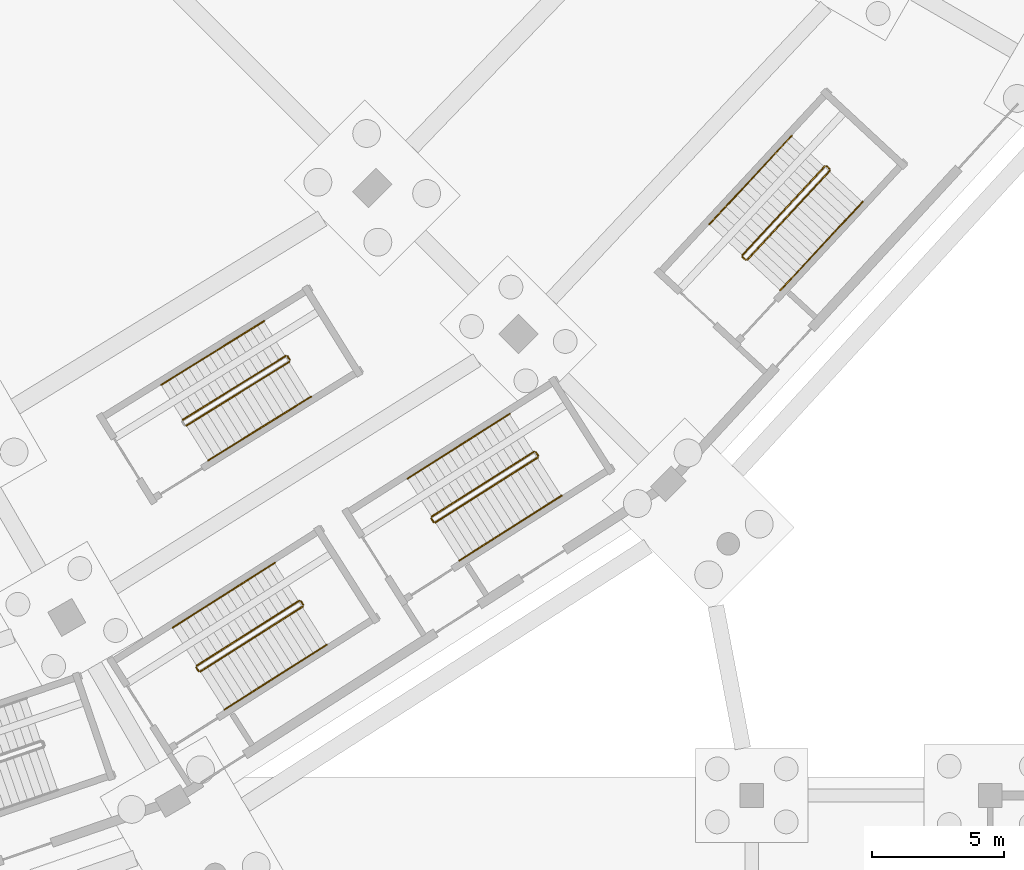
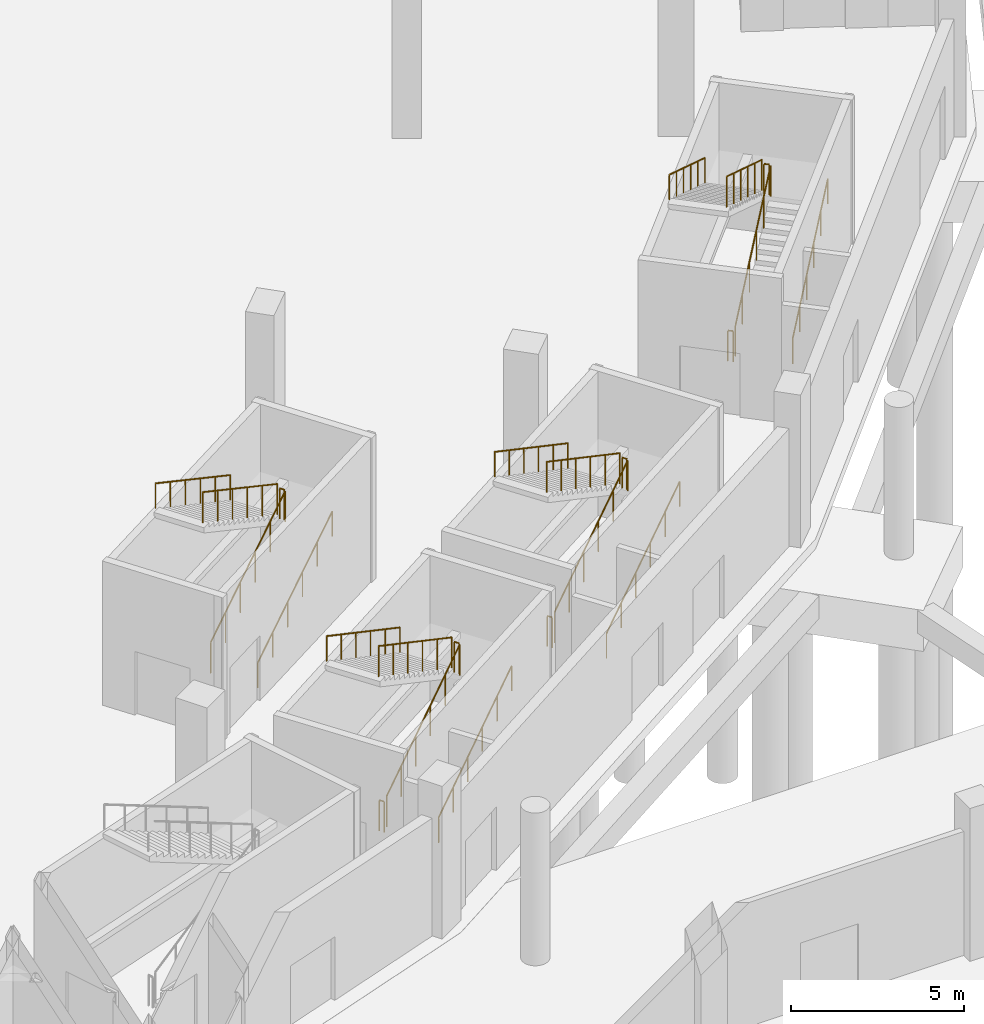
# One storey, part 74 of 103: 23 railings.
"""IFC4 building model written with IfcOpenShell, lengths in metres."""

from ifc_helpers import new_model, si_unit, direction, frame, origin, origin_2d, place, context, subcontext, project, spatial, circle, extrude, material, type_object, element, save


model = new_model("IFC4")

# Units and contexts
model_context = context("Model", 3, precision=1e-05, world=origin(), true_north=direction((0.0, 1.0)))
body_context = subcontext(model_context, "Body", "Model", "MODEL_VIEW")
ifc_project = project(units=[si_unit("LENGTHUNIT", "METRE"), si_unit("AREAUNIT", "SQUARE_METRE"), si_unit("VOLUMEUNIT", "CUBIC_METRE"), si_unit("PLANEANGLEUNIT", "RADIAN"), si_unit("MASSUNIT", "GRAM", prefix="KILO")], contexts=[model_context])

# Site, building, storey
site_placement = place(None, origin())
site = spatial("IfcSite", under=ifc_project, at=site_placement, CompositionType="ELEMENT")
building_placement = place(site_placement, origin())
building = spatial("IfcBuilding", under=site, at=building_placement, Name="Zevraka Park Crest Stadium", CompositionType="ELEMENT")
storey_placement = place(building_placement, origin())
storey = spatial("IfcBuildingStorey", under=building, at=storey_placement, Name="L00", CompositionType="ELEMENT", Elevation=0.0)

# Railings
ifc_material_1 = material(Name="Powder-coated tubular steel stairwell guard", Category="steel")
railing_type_1 = type_object("IfcRailingType", Name="GR03", PredefinedType="GUARDRAIL", material=ifc_material_1)
railing_1_placement = place(storey_placement, frame((158.194580078125, 31.675048828125, 0.168701171875)))
element("IfcRailing", 1, at=railing_1_placement, inside=storey, type_object=railing_type_1, Name="L00 ST21 stair guard 1", PredefinedType="GUARDRAIL", context=body_context, shape_type="SweptSolid", body=[
    extrude(circle(Radius=0.02392578125, at=origin_2d()), frame((0.0, 0.0, 1.076171875), z_axis=(0.738840749407, 0.46876207314, 0.484124432146), x_axis=(-0.535728596419, 0.844390236193, 0.0)), (0.0, 0.0, 1.0), 5.228515625),
    extrude(circle(Radius=0.02099609375, at=origin_2d()), origin(), (0.0, 0.0, 1.0), 1.052001953125),
    extrude(circle(Radius=0.02099609375, at=origin_2d()), frame((0.772705078125, 0.490234375, 0.50634765625)), (0.0, 0.0, 1.0), 1.052001953125),
    extrude(circle(Radius=0.02099609375, at=origin_2d()), frame((1.545166015625, 0.98046875, 1.012451171875)), (0.0, 0.0, 1.0), 1.052001953125),
    extrude(circle(Radius=0.02099609375, at=origin_2d()), frame((2.31787109375, 1.470458984375, 1.518798828125)), (0.0, 0.0, 1.0), 1.052001953125),
    extrude(circle(Radius=0.02099609375, at=origin_2d()), frame((3.09033203125, 1.960693359375, 2.02490234375)), (0.0, 0.0, 1.0), 1.052001953125),
    extrude(circle(Radius=0.02099609375, at=origin_2d()), frame((3.863037109375, 2.450927734375, 2.53125)), (0.0, 0.0, 1.0), 1.052001953125),
])
railing_2_placement = place(storey_placement, frame((162.072998046875, 34.19482421875, 2.699951171875)))
element("IfcRailing", 2, at=railing_2_placement, inside=storey, type_object=railing_type_1, Name="L00 ST21 stair guard 2", PredefinedType="GUARDRAIL", context=body_context, shape_type="SweptSolid", body=[
    extrude(circle(Radius=0.02392578125, at=origin_2d()), frame((0.0, 0.0, 1.076171875), z_axis=(-0.535197175111, 0.844727165275, 0.0), x_axis=(-0.844727165275, -0.535197175111, 0.0)), (0.0, 0.0, 1.0), 0.16015625),
    extrude(circle(Radius=0.02099609375, at=origin_2d()), origin(), (0.0, 0.0, 1.0), 1.052001953125),
    extrude(circle(Radius=0.02099609375, at=origin_2d()), frame((-0.085693359375, 0.13525390625, 0.0)), (0.0, 0.0, 1.0), 1.052001953125),
])
railing_3_placement = place(storey_placement, frame((161.918212890625, 34.345458984375, 2.86865234375)))
element("IfcRailing", 3, at=railing_3_placement, inside=storey, type_object=railing_type_1, Name="L00 ST21 stair guard 3", PredefinedType="GUARDRAIL", context=body_context, shape_type="SweptSolid", body=[
    extrude(circle(Radius=0.02392578125, at=origin_2d()), frame((0.0, 0.0, 1.076171875), z_axis=(-0.738840749407, -0.46876207314, 0.484124432146), x_axis=(0.535728596419, -0.844390236193, 0.0)), (0.0, 0.0, 1.0), 5.228515625),
    extrude(circle(Radius=0.02099609375, at=origin_2d()), origin(), (0.0, 0.0, 1.0), 1.052001953125),
    extrude(circle(Radius=0.02099609375, at=origin_2d()), frame((-0.772705078125, -0.490234375, 0.50634765625)), (0.0, 0.0, 1.0), 1.052001953125),
    extrude(circle(Radius=0.02099609375, at=origin_2d()), frame((-1.545166015625, -0.98046875, 1.012451171875)), (0.0, 0.0, 1.0), 1.052001953125),
    extrude(circle(Radius=0.02099609375, at=origin_2d()), frame((-2.31787109375, -1.470458984375, 1.518798828125)), (0.0, 0.0, 1.0), 1.052001953125),
    extrude(circle(Radius=0.02099609375, at=origin_2d()), frame((-3.09033203125, -1.960693359375, 2.02490234375)), (0.0, 0.0, 1.0), 1.052001953125),
    extrude(circle(Radius=0.02099609375, at=origin_2d()), frame((-3.863037109375, -2.450927734375, 2.53125)), (0.0, 0.0, 1.0), 1.052001953125),
])
railing_4_placement = place(storey_placement, frame((158.12548828125, 31.6904296875, 0.0)))
element("IfcRailing", 4, at=railing_4_placement, inside=storey, type_object=railing_type_1, Name="L00 ST21 stair guard 4", PredefinedType="GUARDRAIL", context=body_context, shape_type="SweptSolid", body=[
    extrude(circle(Radius=0.02392578125, at=origin_2d()), frame((0.0, 0.0, 1.076171875), z_axis=(-0.535887230789, 0.844289568736, 0.0), x_axis=(-0.844289568736, -0.535887230789, 0.0)), (0.0, 0.0, 1.0), 0.159912109375),
    extrude(circle(Radius=0.02099609375, at=origin_2d()), origin(), (0.0, 0.0, 1.0), 1.052001953125),
    extrude(circle(Radius=0.02099609375, at=origin_2d()), frame((-0.085693359375, 0.135009765625, 0.0)), (0.0, 0.0, 1.0), 1.052001953125),
])
railing_5_placement = place(storey_placement, frame((178.8349609375, 47.212890625, 0.168701171875)))
element("IfcRailing", 5, at=railing_5_placement, inside=storey, type_object=railing_type_1, Name="L00 ST22 stair guard 1", PredefinedType="GUARDRAIL", context=body_context, shape_type="SweptSolid", body=[
    extrude(circle(Radius=0.02392578125, at=origin_2d()), frame((0.0, 0.0, 1.076171875), z_axis=(0.595217883246, 0.641352288883, 0.484131090727), x_axis=(-0.732977832241, 0.68025252476, 0.0)), (0.0, 0.0, 1.0), 5.228515625),
    extrude(circle(Radius=0.02099609375, at=origin_2d()), origin(), (0.0, 0.0, 1.0), 1.052001953125),
    extrude(circle(Radius=0.02099609375, at=origin_2d()), frame((0.622314453125, 0.670654296875, 0.50634765625)), (0.0, 0.0, 1.0), 1.052001953125),
    extrude(circle(Radius=0.02099609375, at=origin_2d()), frame((1.244873046875, 1.34130859375, 1.012451171875)), (0.0, 0.0, 1.0), 1.052001953125),
    extrude(circle(Radius=0.02099609375, at=origin_2d()), frame((1.8671875, 2.011962890625, 1.518798828125)), (0.0, 0.0, 1.0), 1.052001953125),
    extrude(circle(Radius=0.02099609375, at=origin_2d()), frame((2.48974609375, 2.6826171875, 2.02490234375)), (0.0, 0.0, 1.0), 1.052001953125),
    extrude(circle(Radius=0.02099609375, at=origin_2d()), frame((3.112060546875, 3.353271484375, 2.53125)), (0.0, 0.0, 1.0), 1.052001953125),
])
railing_6_placement = place(storey_placement, frame((181.944580078125, 50.636962890625, 2.699951171875)))
element("IfcRailing", 6, at=railing_6_placement, inside=storey, type_object=railing_type_1, Name="L00 ST22 stair guard 2", PredefinedType="GUARDRAIL", context=body_context, shape_type="SweptSolid", body=[
    extrude(circle(Radius=0.02392578125, at=origin_2d()), frame((0.0, 0.0, 1.076171875), z_axis=(-0.733281976316, 0.679924659952, 0.0), x_axis=(-0.679924659952, -0.733281976316, 0.0)), (0.0, 0.0, 1.0), 0.16015625),
    extrude(circle(Radius=0.02099609375, at=origin_2d()), origin(), (0.0, 0.0, 1.0), 1.052001953125),
    extrude(circle(Radius=0.02099609375, at=origin_2d()), frame((-0.117431640625, 0.10888671875, 0.0)), (0.0, 0.0, 1.0), 1.052001953125),
])
railing_7_placement = place(storey_placement, frame((181.756591796875, 50.7431640625, 2.86865234375)))
element("IfcRailing", 7, at=railing_7_placement, inside=storey, type_object=railing_type_1, Name="L00 ST22 stair guard 3", PredefinedType="GUARDRAIL", context=body_context, shape_type="SweptSolid", body=[
    extrude(circle(Radius=0.02392578125, at=origin_2d()), frame((0.0, 0.0, 1.076171875), z_axis=(-0.595230208302, -0.641361950207, 0.484103137722), x_axis=(0.732975918341, -0.680254586998, 0.0)), (0.0, 0.0, 1.0), 5.228759765625),
    extrude(circle(Radius=0.02099609375, at=origin_2d()), origin(), (0.0, 0.0, 1.0), 1.052001953125),
    extrude(circle(Radius=0.02099609375, at=origin_2d()), frame((-0.62255859375, -0.670654296875, 0.50634765625)), (0.0, 0.0, 1.0), 1.052001953125),
    extrude(circle(Radius=0.02099609375, at=origin_2d()), frame((-1.244873046875, -1.34130859375, 1.012451171875)), (0.0, 0.0, 1.0), 1.052001953125),
    extrude(circle(Radius=0.02099609375, at=origin_2d()), frame((-1.867431640625, -2.01220703125, 1.518798828125)), (0.0, 0.0, 1.0), 1.052001953125),
    extrude(circle(Radius=0.02099609375, at=origin_2d()), frame((-2.48974609375, -2.682861328125, 2.02490234375)), (0.0, 0.0, 1.0), 1.052001953125),
    extrude(circle(Radius=0.02099609375, at=origin_2d()), frame((-3.1123046875, -3.353515625, 2.53125)), (0.0, 0.0, 1.0), 1.052001953125),
])
railing_8_placement = place(storey_placement, frame((178.76416015625, 47.210205078125, 0.0)))
element("IfcRailing", 8, at=railing_8_placement, inside=storey, type_object=railing_type_1, Name="L00 ST22 stair guard 4", PredefinedType="GUARDRAIL", context=body_context, shape_type="SweptSolid", body=[
    extrude(circle(Radius=0.02392578125, at=origin_2d()), frame((0.0, 0.0, 1.076171875), z_axis=(-0.732576022975, 0.680685221348, 0.0), x_axis=(-0.680685221348, -0.732576022975, 0.0)), (0.0, 0.0, 1.0), 0.159912109375),
    extrude(circle(Radius=0.02099609375, at=origin_2d()), origin(), (0.0, 0.0, 1.0), 1.052001953125),
    extrude(circle(Radius=0.02099609375, at=origin_2d()), frame((-0.1171875, 0.10888671875, 0.0)), (0.0, 0.0, 1.0), 1.052001953125),
])
railing_9_placement = place(storey_placement, frame((167.060546875, 37.300048828125, 0.168701171875)))
element("IfcRailing", 9, at=railing_9_placement, inside=storey, type_object=railing_type_1, Name="L00 ST32 stair guard 1", PredefinedType="GUARDRAIL", context=body_context, shape_type="SweptSolid", body=[
    extrude(circle(Radius=0.02392578125, at=origin_2d()), frame((0.0, 0.0, 1.076171875), z_axis=(0.738840749407, 0.46876207314, 0.484124432146), x_axis=(-0.535728596419, 0.844390236193, 0.0)), (0.0, 0.0, 1.0), 5.228515625),
    extrude(circle(Radius=0.02099609375, at=origin_2d()), origin(), (0.0, 0.0, 1.0), 1.052001953125),
    extrude(circle(Radius=0.02099609375, at=origin_2d()), frame((0.772705078125, 0.490234375, 0.50634765625)), (0.0, 0.0, 1.0), 1.052001953125),
    extrude(circle(Radius=0.02099609375, at=origin_2d()), frame((1.545166015625, 0.98046875, 1.012451171875)), (0.0, 0.0, 1.0), 1.052001953125),
    extrude(circle(Radius=0.02099609375, at=origin_2d()), frame((2.31787109375, 1.470458984375, 1.518798828125)), (0.0, 0.0, 1.0), 1.052001953125),
    extrude(circle(Radius=0.02099609375, at=origin_2d()), frame((3.09033203125, 1.960693359375, 2.02490234375)), (0.0, 0.0, 1.0), 1.052001953125),
    extrude(circle(Radius=0.02099609375, at=origin_2d()), frame((3.863037109375, 2.450927734375, 2.53125)), (0.0, 0.0, 1.0), 1.052001953125),
])
railing_10_placement = place(storey_placement, frame((170.93896484375, 39.81982421875, 2.699951171875)))
element("IfcRailing", 10, at=railing_10_placement, inside=storey, type_object=railing_type_1, Name="L00 ST32 stair guard 2", PredefinedType="GUARDRAIL", context=body_context, shape_type="SweptSolid", body=[
    extrude(circle(Radius=0.02392578125, at=origin_2d()), frame((0.0, 0.0, 1.076171875), z_axis=(-0.535197175111, 0.844727165275, 0.0), x_axis=(-0.844727165275, -0.535197175111, 0.0)), (0.0, 0.0, 1.0), 0.16015625),
    extrude(circle(Radius=0.02099609375, at=origin_2d()), origin(), (0.0, 0.0, 1.0), 1.052001953125),
    extrude(circle(Radius=0.02099609375, at=origin_2d()), frame((-0.085693359375, 0.13525390625, 0.0)), (0.0, 0.0, 1.0), 1.052001953125),
])
railing_11_placement = place(storey_placement, frame((170.784423828125, 39.970458984375, 2.86865234375)))
element("IfcRailing", 11, at=railing_11_placement, inside=storey, type_object=railing_type_1, Name="L00 ST32 stair guard 3", PredefinedType="GUARDRAIL", context=body_context, shape_type="SweptSolid", body=[
    extrude(circle(Radius=0.02392578125, at=origin_2d()), frame((0.0, 0.0, 1.076171875), z_axis=(-0.738861952771, -0.468745901407, 0.48410773043), x_axis=(0.535704457002, -0.844405551111, 0.0)), (0.0, 0.0, 1.0), 5.228759765625),
    extrude(circle(Radius=0.02099609375, at=origin_2d()), origin(), (0.0, 0.0, 1.0), 1.052001953125),
    extrude(circle(Radius=0.02099609375, at=origin_2d()), frame((-0.772705078125, -0.490234375, 0.50634765625)), (0.0, 0.0, 1.0), 1.052001953125),
    extrude(circle(Radius=0.02099609375, at=origin_2d()), frame((-1.54541015625, -0.98046875, 1.012451171875)), (0.0, 0.0, 1.0), 1.052001953125),
    extrude(circle(Radius=0.02099609375, at=origin_2d()), frame((-2.31787109375, -1.470458984375, 1.518798828125)), (0.0, 0.0, 1.0), 1.052001953125),
    extrude(circle(Radius=0.02099609375, at=origin_2d()), frame((-3.090576171875, -1.960693359375, 2.02490234375)), (0.0, 0.0, 1.0), 1.052001953125),
    extrude(circle(Radius=0.02099609375, at=origin_2d()), frame((-3.86328125, -2.450927734375, 2.53125)), (0.0, 0.0, 1.0), 1.052001953125),
])
railing_12_placement = place(storey_placement, frame((166.991455078125, 37.3154296875, 0.0)))
element("IfcRailing", 12, at=railing_12_placement, inside=storey, type_object=railing_type_1, Name="L00 ST32 stair guard 4", PredefinedType="GUARDRAIL", context=body_context, shape_type="SweptSolid", body=[
    extrude(circle(Radius=0.02392578125, at=origin_2d()), frame((0.0, 0.0, 1.076171875), z_axis=(-0.535887230789, 0.844289568736, 0.0), x_axis=(-0.844289568736, -0.535887230789, 0.0)), (0.0, 0.0, 1.0), 0.159912109375),
    extrude(circle(Radius=0.02099609375, at=origin_2d()), origin(), (0.0, 0.0, 1.0), 1.052001953125),
    extrude(circle(Radius=0.02099609375, at=origin_2d()), frame((-0.085693359375, 0.135009765625, 0.0)), (0.0, 0.0, 1.0), 1.052001953125),
])
railing_13_placement = place(storey_placement, frame((157.666015625, 40.952392578125, 0.168701171875)))
element("IfcRailing", 13, at=railing_13_placement, inside=storey, type_object=railing_type_1, Name="L00 ST43 stair guard 1", PredefinedType="GUARDRAIL", context=body_context, shape_type="SweptSolid", body=[
    extrude(circle(Radius=0.02392578125, at=origin_2d()), frame((0.0, 0.0, 1.076171875), z_axis=(0.743488080984, 0.461370704528, 0.484110056122), x_axis=(-0.527276516885, 0.849693753503, 0.0)), (0.0, 0.0, 1.0), 5.228759765625),
    extrude(circle(Radius=0.02099609375, at=origin_2d()), origin(), (0.0, 0.0, 1.0), 1.052001953125),
    extrude(circle(Radius=0.02099609375, at=origin_2d()), frame((0.777587890625, 0.482421875, 0.50634765625)), (0.0, 0.0, 1.0), 1.052001953125),
    extrude(circle(Radius=0.02099609375, at=origin_2d()), frame((1.554931640625, 0.96484375, 1.012451171875)), (0.0, 0.0, 1.0), 1.052001953125),
    extrude(circle(Radius=0.02099609375, at=origin_2d()), frame((2.33251953125, 1.447509765625, 1.518798828125)), (0.0, 0.0, 1.0), 1.052001953125),
    extrude(circle(Radius=0.02099609375, at=origin_2d()), frame((3.10986328125, 1.929931640625, 2.02490234375)), (0.0, 0.0, 1.0), 1.052001953125),
    extrude(circle(Radius=0.02099609375, at=origin_2d()), frame((3.887451171875, 2.412353515625, 2.53125)), (0.0, 0.0, 1.0), 1.052001953125),
])
railing_14_placement = place(storey_placement, frame((161.569580078125, 43.43359375, 2.699951171875)))
element("IfcRailing", 14, at=railing_14_placement, inside=storey, type_object=railing_type_1, Name="L00 ST43 stair guard 2", PredefinedType="GUARDRAIL", context=body_context, shape_type="SweptSolid", body=[
    extrude(circle(Radius=0.02392578125, at=origin_2d()), frame((0.0, 0.0, 1.076171875), z_axis=(-0.528350811616, 0.849026159706, 0.0), x_axis=(-0.849026159706, -0.528350811616, 0.0)), (0.0, 0.0, 1.0), 0.159912109375),
    extrude(circle(Radius=0.02099609375, at=origin_2d()), origin(), (0.0, 0.0, 1.0), 1.052001953125),
    extrude(circle(Radius=0.02099609375, at=origin_2d()), frame((-0.08447265625, 0.1357421875, 0.0)), (0.0, 0.0, 1.0), 1.052001953125),
])
railing_15_placement = place(storey_placement, frame((161.416259765625, 43.58544921875, 2.86865234375)))
element("IfcRailing", 15, at=railing_15_placement, inside=storey, type_object=railing_type_1, Name="L00 ST43 stair guard 3", PredefinedType="GUARDRAIL", context=body_context, shape_type="SweptSolid", body=[
    extrude(circle(Radius=0.02392578125, at=origin_2d()), frame((0.0, 0.0, 1.076171875), z_axis=(-0.743483214798, -0.461349966223, 0.48413729249), x_axis=(0.527261896715, -0.849702825859, 0.0)), (0.0, 0.0, 1.0), 5.228271484375),
    extrude(circle(Radius=0.02099609375, at=origin_2d()), origin(), (0.0, 0.0, 1.0), 1.052001953125),
    extrude(circle(Radius=0.02099609375, at=origin_2d()), frame((-0.77734375, -0.482421875, 0.50634765625)), (0.0, 0.0, 1.0), 1.052001953125),
    extrude(circle(Radius=0.02099609375, at=origin_2d()), frame((-1.554931640625, -0.96484375, 1.012451171875)), (0.0, 0.0, 1.0), 1.052001953125),
    extrude(circle(Radius=0.02099609375, at=origin_2d()), frame((-2.332275390625, -1.447265625, 1.518798828125)), (0.0, 0.0, 1.0), 1.052001953125),
    extrude(circle(Radius=0.02099609375, at=origin_2d()), frame((-3.10986328125, -1.9296875, 2.02490234375)), (0.0, 0.0, 1.0), 1.052001953125),
    extrude(circle(Radius=0.02099609375, at=origin_2d()), frame((-3.88720703125, -2.412109375, 2.53125)), (0.0, 0.0, 1.0), 1.052001953125),
])
ifc_material_2 = material(Name="Brushed stainless steel continuous handrail", Category="steel")
railing_type_2 = type_object("IfcRailingType", Name="HR01", PredefinedType="HANDRAIL", material=ifc_material_2)
railing_16_placement = place(storey_placement, frame((159.105224609375, 30.239501953125, 0.168701171875)))
element("IfcRailing", 16, at=railing_16_placement, inside=storey, type_object=railing_type_2, Name="L00 ST21 stair handrail 1", PredefinedType="HANDRAIL", context=body_context, shape_type="SweptSolid", body=[
    extrude(circle(Radius=0.02392578125, at=origin_2d()), frame((0.0, 0.0, 0.8759765625), z_axis=(0.738840749407, 0.46876207314, 0.484124432146), x_axis=(-0.535728596419, 0.844390236193, 0.0)), (0.0, 0.0, 1.0), 5.228515625),
    extrude(circle(Radius=0.02099609375, at=origin_2d()), origin(), (0.0, 0.0, 1.0), 0.851806640625),
    extrude(circle(Radius=0.02099609375, at=origin_2d()), frame((0.772705078125, 0.490234375, 0.50634765625)), (0.0, 0.0, 1.0), 0.851806640625),
    extrude(circle(Radius=0.02099609375, at=origin_2d()), frame((1.545166015625, 0.98046875, 1.012451171875)), (0.0, 0.0, 1.0), 0.851806640625),
    extrude(circle(Radius=0.02099609375, at=origin_2d()), frame((2.31787109375, 1.470458984375, 1.518798828125)), (0.0, 0.0, 1.0), 0.851806640625),
    extrude(circle(Radius=0.02099609375, at=origin_2d()), frame((3.09033203125, 1.960693359375, 2.02490234375)), (0.0, 0.0, 1.0), 0.851806640625),
    extrude(circle(Radius=0.02099609375, at=origin_2d()), frame((3.863037109375, 2.450927734375, 2.53125)), (0.0, 0.0, 1.0), 0.851806640625),
])
railing_17_placement = place(storey_placement, frame((161.007568359375, 35.781005859375, 2.86865234375)))
element("IfcRailing", 17, at=railing_17_placement, inside=storey, type_object=railing_type_2, Name="L00 ST21 stair handrail 2", PredefinedType="HANDRAIL", context=body_context, shape_type="SweptSolid", body=[
    extrude(circle(Radius=0.02392578125, at=origin_2d()), frame((0.0, 0.0, 0.8759765625), z_axis=(-0.738840749407, -0.46876207314, 0.484124432146), x_axis=(0.535728596419, -0.844390236193, 0.0)), (0.0, 0.0, 1.0), 5.228515625),
    extrude(circle(Radius=0.02099609375, at=origin_2d()), origin(), (0.0, 0.0, 1.0), 0.851806640625),
    extrude(circle(Radius=0.02099609375, at=origin_2d()), frame((-0.772705078125, -0.490234375, 0.50634765625)), (0.0, 0.0, 1.0), 0.851806640625),
    extrude(circle(Radius=0.02099609375, at=origin_2d()), frame((-1.545166015625, -0.98046875, 1.012451171875)), (0.0, 0.0, 1.0), 0.851806640625),
    extrude(circle(Radius=0.02099609375, at=origin_2d()), frame((-2.31787109375, -1.470458984375, 1.518798828125)), (0.0, 0.0, 1.0), 0.851806640625),
    extrude(circle(Radius=0.02099609375, at=origin_2d()), frame((-3.09033203125, -1.960693359375, 2.02490234375)), (0.0, 0.0, 1.0), 0.851806640625),
    extrude(circle(Radius=0.02099609375, at=origin_2d()), frame((-3.863037109375, -2.450927734375, 2.53125)), (0.0, 0.0, 1.0), 0.851806640625),
])
railing_18_placement = place(storey_placement, frame((180.0810546875, 46.056396484375, 0.168701171875)))
element("IfcRailing", 18, at=railing_18_placement, inside=storey, type_object=railing_type_2, Name="L00 ST22 stair handrail 1", PredefinedType="HANDRAIL", context=body_context, shape_type="SweptSolid", body=[
    extrude(circle(Radius=0.02392578125, at=origin_2d()), frame((0.0, 0.0, 0.8759765625), z_axis=(0.595200057944, 0.641379775313, 0.484116592199), x_axis=(-0.733002525421, 0.680225916682, 0.0)), (0.0, 0.0, 1.0), 5.228515625),
    extrude(circle(Radius=0.02099609375, at=origin_2d()), origin(), (0.0, 0.0, 1.0), 0.851806640625),
    extrude(circle(Radius=0.02099609375, at=origin_2d()), frame((0.622314453125, 0.670654296875, 0.50634765625)), (0.0, 0.0, 1.0), 0.851806640625),
    extrude(circle(Radius=0.02099609375, at=origin_2d()), frame((1.244873046875, 1.34130859375, 1.012451171875)), (0.0, 0.0, 1.0), 0.851806640625),
    extrude(circle(Radius=0.02099609375, at=origin_2d()), frame((1.8671875, 2.01220703125, 1.518798828125)), (0.0, 0.0, 1.0), 0.851806640625),
    extrude(circle(Radius=0.02099609375, at=origin_2d()), frame((2.48974609375, 2.682861328125, 2.02490234375)), (0.0, 0.0, 1.0), 0.851806640625),
    extrude(circle(Radius=0.02099609375, at=origin_2d()), frame((3.112060546875, 3.353515625, 2.53125)), (0.0, 0.0, 1.0), 0.851806640625),
])
railing_19_placement = place(storey_placement, frame((180.510498046875, 51.899658203125, 2.86865234375)))
element("IfcRailing", 19, at=railing_19_placement, inside=storey, type_object=railing_type_2, Name="L00 ST22 stair handrail 2", PredefinedType="HANDRAIL", context=body_context, shape_type="SweptSolid", body=[
    extrude(circle(Radius=0.02392578125, at=origin_2d()), frame((0.0, 0.0, 0.8759765625), z_axis=(-0.595230208302, -0.641361950207, 0.484103137722), x_axis=(0.732975918341, -0.680254586998, 0.0)), (0.0, 0.0, 1.0), 5.228759765625),
    extrude(circle(Radius=0.02099609375, at=origin_2d()), origin(), (0.0, 0.0, 1.0), 0.851806640625),
    extrude(circle(Radius=0.02099609375, at=origin_2d()), frame((-0.62255859375, -0.670654296875, 0.50634765625)), (0.0, 0.0, 1.0), 0.851806640625),
    extrude(circle(Radius=0.02099609375, at=origin_2d()), frame((-1.244873046875, -1.34130859375, 1.012451171875)), (0.0, 0.0, 1.0), 0.851806640625),
    extrude(circle(Radius=0.02099609375, at=origin_2d()), frame((-1.867431640625, -2.01220703125, 1.518798828125)), (0.0, 0.0, 1.0), 0.851806640625),
    extrude(circle(Radius=0.02099609375, at=origin_2d()), frame((-2.48974609375, -2.682861328125, 2.02490234375)), (0.0, 0.0, 1.0), 0.851806640625),
    extrude(circle(Radius=0.02099609375, at=origin_2d()), frame((-3.1123046875, -3.353515625, 2.53125)), (0.0, 0.0, 1.0), 0.851806640625),
])
railing_20_placement = place(storey_placement, frame((167.97119140625, 35.864501953125, 0.168701171875)))
element("IfcRailing", 20, at=railing_20_placement, inside=storey, type_object=railing_type_2, Name="L00 ST32 stair handrail 1", PredefinedType="HANDRAIL", context=body_context, shape_type="SweptSolid", body=[
    extrude(circle(Radius=0.02392578125, at=origin_2d()), frame((0.0, 0.0, 0.8759765625), z_axis=(0.738840749407, 0.46876207314, 0.484124432146), x_axis=(-0.535728596419, 0.844390236193, 0.0)), (0.0, 0.0, 1.0), 5.228515625),
    extrude(circle(Radius=0.02099609375, at=origin_2d()), origin(), (0.0, 0.0, 1.0), 0.851806640625),
    extrude(circle(Radius=0.02099609375, at=origin_2d()), frame((0.772705078125, 0.490234375, 0.50634765625)), (0.0, 0.0, 1.0), 0.851806640625),
    extrude(circle(Radius=0.02099609375, at=origin_2d()), frame((1.545166015625, 0.98046875, 1.012451171875)), (0.0, 0.0, 1.0), 0.851806640625),
    extrude(circle(Radius=0.02099609375, at=origin_2d()), frame((2.31787109375, 1.470458984375, 1.518798828125)), (0.0, 0.0, 1.0), 0.851806640625),
    extrude(circle(Radius=0.02099609375, at=origin_2d()), frame((3.09033203125, 1.960693359375, 2.02490234375)), (0.0, 0.0, 1.0), 0.851806640625),
    extrude(circle(Radius=0.02099609375, at=origin_2d()), frame((3.863037109375, 2.450927734375, 2.53125)), (0.0, 0.0, 1.0), 0.851806640625),
])
railing_21_placement = place(storey_placement, frame((169.87353515625, 41.406005859375, 2.86865234375)))
element("IfcRailing", 21, at=railing_21_placement, inside=storey, type_object=railing_type_2, Name="L00 ST32 stair handrail 2", PredefinedType="HANDRAIL", context=body_context, shape_type="SweptSolid", body=[
    extrude(circle(Radius=0.02392578125, at=origin_2d()), frame((0.0, 0.0, 0.8759765625), z_axis=(-0.738840749407, -0.46876207314, 0.484124432146), x_axis=(0.535728596419, -0.844390236193, 0.0)), (0.0, 0.0, 1.0), 5.228515625),
    extrude(circle(Radius=0.02099609375, at=origin_2d()), origin(), (0.0, 0.0, 1.0), 0.851806640625),
    extrude(circle(Radius=0.02099609375, at=origin_2d()), frame((-0.772705078125, -0.490234375, 0.50634765625)), (0.0, 0.0, 1.0), 0.851806640625),
    extrude(circle(Radius=0.02099609375, at=origin_2d()), frame((-1.545166015625, -0.98046875, 1.012451171875)), (0.0, 0.0, 1.0), 0.851806640625),
    extrude(circle(Radius=0.02099609375, at=origin_2d()), frame((-2.31787109375, -1.470458984375, 1.518798828125)), (0.0, 0.0, 1.0), 0.851806640625),
    extrude(circle(Radius=0.02099609375, at=origin_2d()), frame((-3.09033203125, -1.960693359375, 2.02490234375)), (0.0, 0.0, 1.0), 0.851806640625),
    extrude(circle(Radius=0.02099609375, at=origin_2d()), frame((-3.863037109375, -2.450927734375, 2.53125)), (0.0, 0.0, 1.0), 0.851806640625),
])
railing_22_placement = place(storey_placement, frame((158.4833984375, 39.63525390625, 0.168701171875)))
element("IfcRailing", 22, at=railing_22_placement, inside=storey, type_object=railing_type_2, Name="L00 ST43 stair handrail 1", PredefinedType="HANDRAIL", context=body_context, shape_type="SweptSolid", body=[
    extrude(circle(Radius=0.02392578125, at=origin_2d()), frame((0.0, 0.0, 0.8759765625), z_axis=(0.743488080984, 0.461370704528, 0.484110056122), x_axis=(-0.527276516885, 0.849693753503, 0.0)), (0.0, 0.0, 1.0), 5.228759765625),
    extrude(circle(Radius=0.02099609375, at=origin_2d()), origin(), (0.0, 0.0, 1.0), 0.851806640625),
    extrude(circle(Radius=0.02099609375, at=origin_2d()), frame((0.777587890625, 0.482421875, 0.50634765625)), (0.0, 0.0, 1.0), 0.851806640625),
    extrude(circle(Radius=0.02099609375, at=origin_2d()), frame((1.554931640625, 0.96484375, 1.012451171875)), (0.0, 0.0, 1.0), 0.851806640625),
    extrude(circle(Radius=0.02099609375, at=origin_2d()), frame((2.33251953125, 1.447509765625, 1.518798828125)), (0.0, 0.0, 1.0), 0.851806640625),
    extrude(circle(Radius=0.02099609375, at=origin_2d()), frame((3.10986328125, 1.929931640625, 2.02490234375)), (0.0, 0.0, 1.0), 0.851806640625),
    extrude(circle(Radius=0.02099609375, at=origin_2d()), frame((3.887451171875, 2.412353515625, 2.53125)), (0.0, 0.0, 1.0), 0.851806640625),
])
railing_23_placement = place(storey_placement, frame((160.59912109375, 44.902587890625, 2.86865234375)))
element("IfcRailing", 23, at=railing_23_placement, inside=storey, type_object=railing_type_2, Name="L00 ST43 stair handrail 2", PredefinedType="HANDRAIL", context=body_context, shape_type="SweptSolid", body=[
    extrude(circle(Radius=0.02392578125, at=origin_2d()), frame((0.0, 0.0, 0.8759765625), z_axis=(-0.743488080984, -0.461370704528, 0.484110056122), x_axis=(0.527276516885, -0.849693753503, 0.0)), (0.0, 0.0, 1.0), 5.228759765625),
    extrude(circle(Radius=0.02099609375, at=origin_2d()), origin(), (0.0, 0.0, 1.0), 0.851806640625),
    extrude(circle(Radius=0.02099609375, at=origin_2d()), frame((-0.777587890625, -0.482421875, 0.50634765625)), (0.0, 0.0, 1.0), 0.851806640625),
    extrude(circle(Radius=0.02099609375, at=origin_2d()), frame((-1.554931640625, -0.96484375, 1.012451171875)), (0.0, 0.0, 1.0), 0.851806640625),
    extrude(circle(Radius=0.02099609375, at=origin_2d()), frame((-2.33251953125, -1.447509765625, 1.518798828125)), (0.0, 0.0, 1.0), 0.851806640625),
    extrude(circle(Radius=0.02099609375, at=origin_2d()), frame((-3.10986328125, -1.929931640625, 2.02490234375)), (0.0, 0.0, 1.0), 0.851806640625),
    extrude(circle(Radius=0.02099609375, at=origin_2d()), frame((-3.887451171875, -2.412353515625, 2.53125)), (0.0, 0.0, 1.0), 0.851806640625),
])

save(model, "model.ifc")
